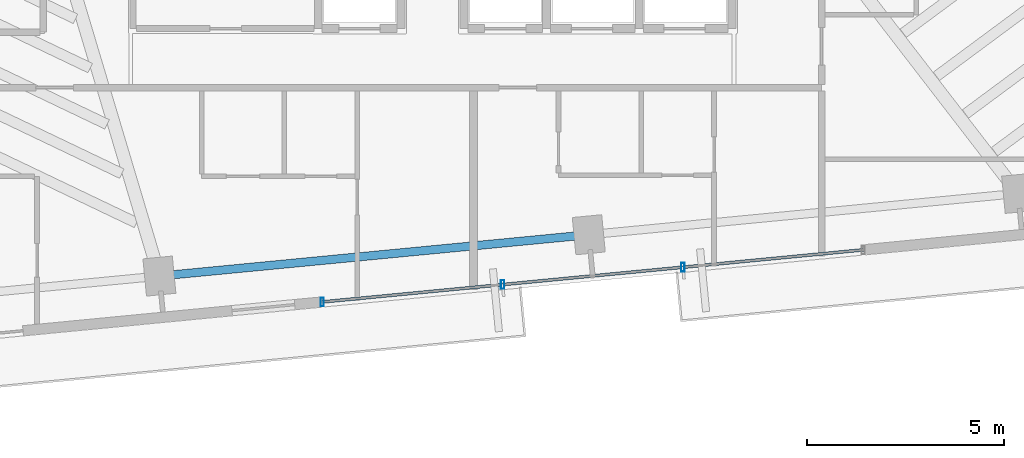
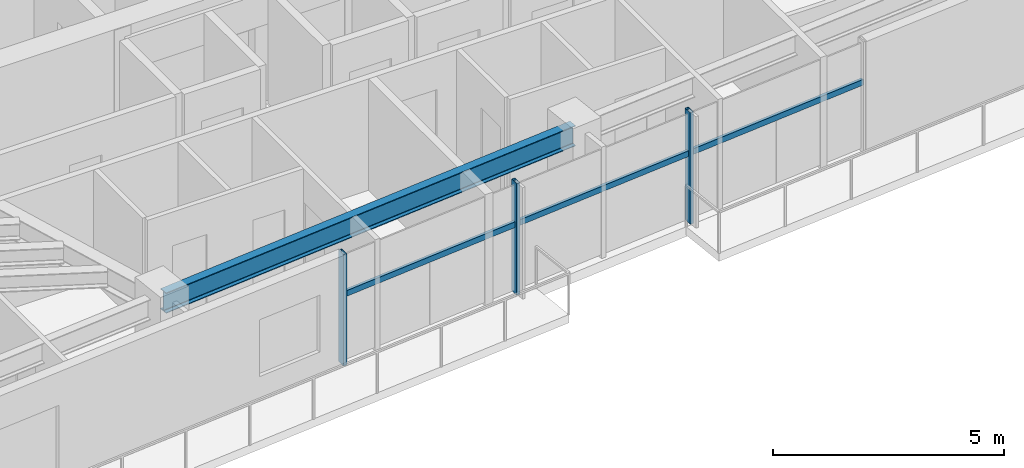
# One storey, part 4 of 18: 6 members, 1 beam, 1 element without a shape of its own.
"""IFC4 building model written with IfcOpenShell, lengths in metres."""

from ifc_helpers import new_model, si_unit, direction, frame, origin, origin_2d, place, context, subcontext, project, spatial, hollow_rectangle, i_section, extrude, source, transform, mapped, material, material_profile, profile_set, type_object, type_shapes, element, aggregate, save


model = new_model("IFC4")

# Units and contexts
model_context = context("Model", 3, precision=1e-05, world=origin(), true_north=direction((0.0, 1.0)))
body_context = subcontext(model_context, "Body", "Model", "MODEL_VIEW")
ifc_project = project(units=[si_unit("LENGTHUNIT", "METRE"), si_unit("AREAUNIT", "SQUARE_METRE"), si_unit("VOLUMEUNIT", "CUBIC_METRE"), si_unit("PLANEANGLEUNIT", "RADIAN"), si_unit("MASSUNIT", "GRAM", prefix="KILO")], contexts=[model_context])

# Site, building, storey
site_placement = place(None, origin())
site = spatial("IfcSite", under=ifc_project, at=site_placement, CompositionType="ELEMENT")
building_placement = place(site_placement, origin())
building = spatial("IfcBuilding", under=site, at=building_placement, Name="Astriad Promenade Condominiums", CompositionType="ELEMENT")
storey_placement = place(building_placement, frame((0.0, 0.0, 182.60009765625)))
storey = spatial("IfcBuildingStorey", under=building, at=storey_placement, Name="L52", CompositionType="ELEMENT", Elevation=182.60009765625)

# Beam
ifc_material_1 = material(Name="Steel ASTM A992 Grade 50", Category="steel")
ifc_material_profile_1 = material_profile(ifc_material_1, i_section(OverallWidth=0.210693359375, OverallDepth=0.53955078125, WebThickness=0.01171875, FlangeThickness=0.018798828125, FilletRadius=0.0166015625, at=origin_2d()), Name="W21X73")
ifc_profile_set_1 = profile_set([ifc_material_profile_1], Name="Steel ASTM A992 Grade 50")
beam_type = type_object("IfcBeamType", Name="STEEL SPANDREL BEAM W21X73", PredefinedType="SPANDREL", material=ifc_profile_set_1)
shared_shape_1 = source(origin(), body_context, "Body", "SweptSolid", [
    extrude(i_section(OverallWidth=0.210693359375, OverallDepth=0.53955078125, WebThickness=0.01171875, FlangeThickness=0.018798828125, FilletRadius=0.0166015625, at=origin_2d()), origin(), (0.0, 0.0, 1.0), 10.8701171875),
])
type_shapes(beam_type, [shared_shape_1])
beam_placement = place(storey_placement, frame((29.10888671875, 8.47119140625, 2.670166015625), z_axis=(0.995394986184, 0.09585834069, 0.0), x_axis=(-0.09585834069, 0.995394986184, 0.0)))
element("IfcBeam", 1, at=beam_placement, inside=storey, type_object=beam_type, Name="Perimeter Spandrel Beam SP-S2-L52", PredefinedType="SPANDREL", context=body_context, shape_type="MappedRepresentation", body=[
    mapped(shared_shape_1, transform((0.0, 0.0, 0.0), scale=1.0)),
])

# Curtain wall, members
ifc_material_2 = material(Name="Anodised aluminium Black Dark Glass Unitised", Category="aluminium")
curtain_wall_type = type_object("IfcCurtainWallType", Name="CW-B34-DARK", PredefinedType="USERDEFINED", material=ifc_material_2)
curtain_wall_placement = place(storey_placement, origin())
curtain_wall = element("IfcCurtainWall", 2, at=curtain_wall_placement, inside=storey, type_object=curtain_wall_type, Name="CW-L52-S", ObjectType="UNITISED_CURTAIN_WALL", PredefinedType="USERDEFINED")
ifc_material_3 = material(Name="Anodised aluminium 6063-T6 Black", Category="aluminium")
ifc_material_profile_2 = material_profile(ifc_material_3, hollow_rectangle(XDim=0.0849609375, YDim=0.219970703125, WallThickness=0.0048828125, at=origin_2d()), Name="ALU-MUL-85X220")
ifc_profile_set_2 = profile_set([ifc_material_profile_2], Name="Anodised aluminium 6063-T6 Black")
member_type_1 = type_object("IfcMemberType", Name="MUL-ALU-MUL-85X220", PredefinedType="MULLION", material=ifc_profile_set_2)
shared_shape_2 = source(origin(), body_context, "Body", "SweptSolid", [
    extrude(hollow_rectangle(XDim=0.0849609375, YDim=0.219970703125, WallThickness=0.0048828125, at=origin_2d()), origin(), (0.0, 0.0, 1.0), 2.93994140625),
])
type_shapes(member_type_1, [shared_shape_2])
member_1_placement = place(storey_placement, frame((42.358642578125, 8.692138671875, 0.0), z_axis=(0.0, 0.0, 1.0), x_axis=(1.0, 0.0, 0.0)))
member_1 = element("IfcMember", 3, at=member_1_placement, type_object=member_type_1, Name="CW-L52-S-MUL-01", PredefinedType="MULLION", context=body_context, shape_type="MappedRepresentation", body=[
    mapped(shared_shape_2, transform((0.0, 0.0, 0.0), scale=1.0)),
])
member_2_placement = place(storey_placement, frame((37.77978515625, 8.251220703125, 0.0), z_axis=(0.0, 0.0, 1.0), x_axis=(1.0, 0.0, 0.0)))
member_2 = element("IfcMember", 4, at=member_2_placement, type_object=member_type_1, Name="CW-L52-S-MUL-02", PredefinedType="MULLION", context=body_context, shape_type="MappedRepresentation", body=[
    mapped(shared_shape_2, transform((0.0, 0.0, 0.0), scale=1.0)),
])
member_3_placement = place(storey_placement, frame((33.201171875, 7.810302734375, 0.0), z_axis=(0.0, 0.0, 1.0), x_axis=(1.0, 0.0, 0.0)))
member_3 = element("IfcMember", 5, at=member_3_placement, type_object=member_type_1, Name="CW-L52-S-MUL-03", PredefinedType="MULLION", context=body_context, shape_type="MappedRepresentation", body=[
    mapped(shared_shape_2, transform((0.0, 0.0, 0.0), scale=1.0)),
])
ifc_material_profile_3 = material_profile(ifc_material_3, hollow_rectangle(XDim=0.074951171875, YDim=0.14990234375, WallThickness=0.004150390625, at=origin_2d()), Name="ALU-TRN-75X150")
ifc_profile_set_3 = profile_set([ifc_material_profile_3], Name="Anodised aluminium 6063-T6 Black")
member_type_2 = type_object("IfcMemberType", Name="TRN-ALU-TRN-75X150", PredefinedType="USERDEFINED", material=ifc_profile_set_3)
shared_shape_3 = source(origin(), body_context, "Body", "SweptSolid", [
    extrude(hollow_rectangle(XDim=0.074951171875, YDim=0.14990234375, WallThickness=0.004150390625, at=origin_2d()), origin(), (0.0, 0.0, 1.0), 4.60009765625),
])
member_4_placement = place(storey_placement, frame((46.9375, 9.133056640625, 1.82275390625), z_axis=(-0.995395697572, -0.095850953336, 0.0), x_axis=(0.095850953336, -0.995395697572, 0.0)))
member_4 = element("IfcMember", 6, at=member_4_placement, type_object=member_type_2, Name="CW-L52-S-TRN-00-0", ObjectType="TRANSOM", PredefinedType="USERDEFINED", context=body_context, shape_type="MappedRepresentation", body=[
    mapped(shared_shape_3, transform((0.0, 0.0, 0.0), scale=1.0)),
])
member_5_placement = place(storey_placement, frame((42.358642578125, 8.692138671875, 1.82275390625), z_axis=(-0.995395697572, -0.095850953336, 0.0), x_axis=(0.095850953336, -0.995395697572, 0.0)))
member_5 = element("IfcMember", 7, at=member_5_placement, type_object=member_type_2, Name="CW-L52-S-TRN-01-0", ObjectType="TRANSOM", PredefinedType="USERDEFINED", context=body_context, shape_type="MappedRepresentation", body=[
    mapped(shared_shape_3, transform((0.0, 0.0, 0.0), scale=1.0)),
])
shared_shape_4 = source(origin(), body_context, "Body", "SweptSolid", [
    extrude(hollow_rectangle(XDim=0.074951171875, YDim=0.14990234375, WallThickness=0.004150390625, at=origin_2d()), origin(), (0.0, 0.0, 1.0), 4.599853515625),
])
type_shapes(member_type_2, [shared_shape_3, shared_shape_4])
member_6_placement = place(storey_placement, frame((37.77978515625, 8.251220703125, 1.82275390625), z_axis=(-0.995395209924, -0.095856017336, 0.0), x_axis=(0.095856017336, -0.995395209924, 0.0)))
member_6 = element("IfcMember", 8, at=member_6_placement, type_object=member_type_2, Name="CW-L52-S-TRN-02-0", ObjectType="TRANSOM", PredefinedType="USERDEFINED", context=body_context, shape_type="MappedRepresentation", body=[
    mapped(shared_shape_4, transform((0.0, 0.0, 0.0), scale=1.0)),
])
aggregate(curtain_wall, [member_1, member_2, member_3, member_4, member_5, member_6])

save(model, "model.ifc")
